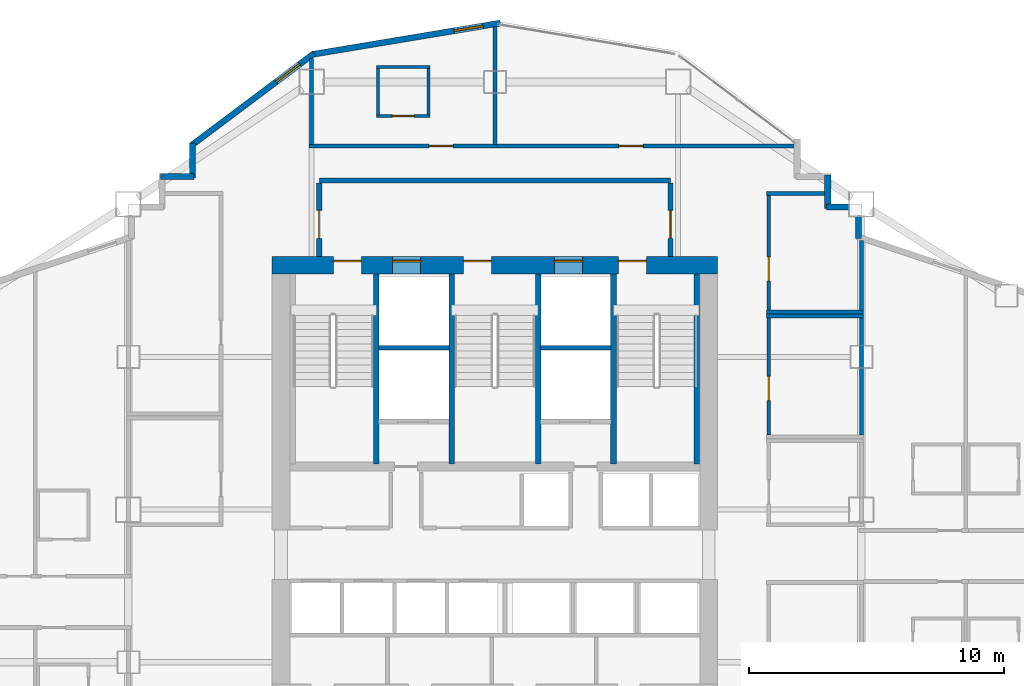
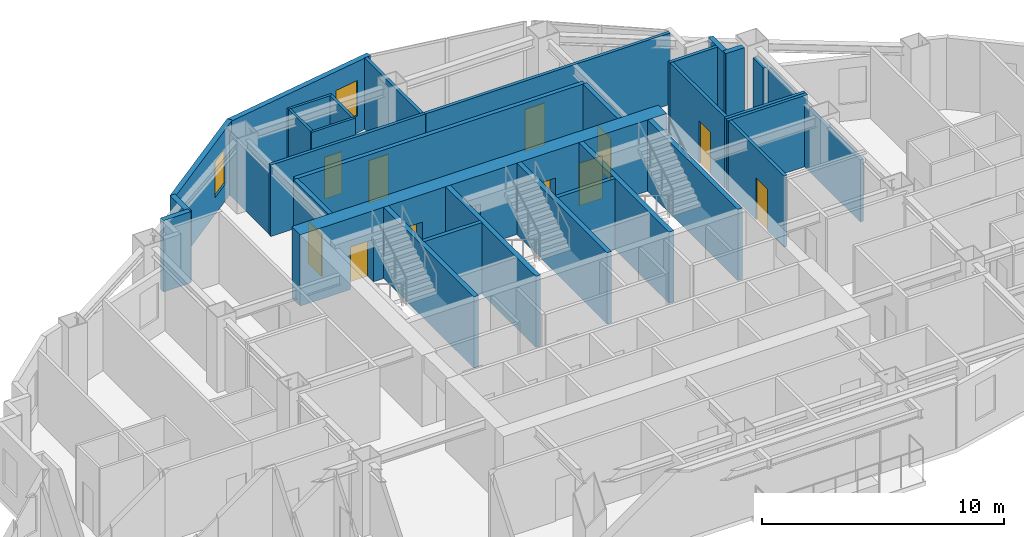
# One storey, part 12 of 15: 33 walls, 12 doors, 2 windows, 14 openings.
"""IFC4 building model written with IfcOpenShell, lengths in metres."""

from ifc_helpers import new_model, si_unit, direction, frame, frame_2d, origin, place, context, subcontext, project, spatial, rectangle, extrude, material, layer, layer_set, type_object, element, fill, save


model = new_model("IFC4")

# Units and contexts
model_context = context("Model", 3, precision=1e-05, world=origin(), true_north=direction((0.0, 1.0)))
body_context = subcontext(model_context, "Body", "Model", "MODEL_VIEW")
ifc_project = project(units=[si_unit("LENGTHUNIT", "METRE"), si_unit("AREAUNIT", "SQUARE_METRE"), si_unit("VOLUMEUNIT", "CUBIC_METRE"), si_unit("PLANEANGLEUNIT", "RADIAN"), si_unit("MASSUNIT", "GRAM", prefix="KILO")], contexts=[model_context])

# Site, building, storey
site_placement = place(None, origin())
site = spatial("IfcSite", under=ifc_project, at=site_placement, CompositionType="ELEMENT")
building_placement = place(site_placement, origin())
building = spatial("IfcBuilding", under=site, at=building_placement, Name="Haolan Belvedere Tower", CompositionType="ELEMENT")
storey_placement = place(building_placement, frame((0.0, 0.0, 152.39990234375)))
storey = spatial("IfcBuildingStorey", under=building, at=storey_placement, Name="L38", CompositionType="ELEMENT", Elevation=152.39990234375)

# Wall, openings, doors
ifc_material_1 = material(Name="Concrete C60/75", Category="concrete")
ifc_layer_1 = layer(ifc_material_1, 0.699951171875, Name="Concrete C60/75")
ifc_layer_set_1 = layer_set([ifc_layer_1], Name="Concrete C60/75")
wall_type_1 = type_object("IfcWallType", Name="WL-CORE-700", PredefinedType="SHEAR", material=ifc_layer_set_1)
wall_1_placement = place(storey_placement, frame((29.64990234375, 43.199951171875, 0.0), z_axis=(0.0, 0.0, 1.0), x_axis=(1.0, 0.0, 0.0)))
wall_1 = element("IfcWall", 1, at=wall_1_placement, inside=storey, type_object=wall_type_1, Name="L38 central core north shear wall", PredefinedType="SHEAR", context=body_context, shape_type="SweptSolid", body=[
    extrude(rectangle(XDim=17.5, YDim=0.699951171875, at=frame_2d((8.75, 0.0))), origin(), (0.0, 0.0, 1.0), 3.60009765625),
])
opening_1_placement = place(wall_1_placement, frame((2.39990234375, 0.0, 0.0)))
opening_1 = element("IfcOpeningElement", 2, at=opening_1_placement, cuts=wall_1, Name="Opening FD-03", PredefinedType="OPENING", context=body_context, shape_type="SweptSolid", body=[
    extrude(rectangle(XDim=1.10009765625, YDim=2.14990234375, at=frame_2d((0.550048828125, 1.074951171875))), frame((0.0, 0.35986328125, 0.0), z_axis=(0.0, -1.0, 0.0), x_axis=(1.0, 0.0, 0.0)), (0.0, 0.0, 1.0), 0.719970703125),
])
opening_2_placement = place(wall_1_placement, frame((7.510009765625, 0.0, 0.0)))
opening_2 = element("IfcOpeningElement", 3, at=opening_2_placement, cuts=wall_1, Name="Opening FD-03", PredefinedType="OPENING", context=body_context, shape_type="SweptSolid", body=[
    extrude(rectangle(XDim=1.10009765625, YDim=2.14990234375, at=frame_2d((0.550048828125, 1.074951171875))), frame((0.0, 0.35986328125, 0.0), z_axis=(0.0, -1.0, 0.0), x_axis=(1.0, 0.0, 0.0)), (0.0, 0.0, 1.0), 0.719970703125),
])
opening_3_placement = place(wall_1_placement, frame((13.60009765625, 0.0, 0.0)))
opening_3 = element("IfcOpeningElement", 4, at=opening_3_placement, cuts=wall_1, Name="Opening FD-03", PredefinedType="OPENING", context=body_context, shape_type="SweptSolid", body=[
    extrude(rectangle(XDim=1.10009765625, YDim=2.14990234375, at=frame_2d((0.550048828125, 1.074951171875))), frame((0.0, 0.35986328125, 0.0), z_axis=(0.0, -1.0, 0.0), x_axis=(1.0, 0.0, 0.0)), (0.0, 0.0, 1.0), 0.719970703125),
])
opening_4_placement = place(wall_1_placement, frame((4.72998046875, 0.0, 0.0)))
opening_4 = element("IfcOpeningElement", 5, at=opening_4_placement, cuts=wall_1, Name="Opening LD-01", PredefinedType="OPENING", context=body_context, shape_type="SweptSolid", body=[
    extrude(rectangle(XDim=1.10009765625, YDim=2.199951171875, at=frame_2d((0.550048828125, 1.10009765625))), frame((0.0, 0.35986328125, 0.0), z_axis=(0.0, -1.0, 0.0), x_axis=(1.0, 0.0, 0.0)), (0.0, 0.0, 1.0), 0.719970703125),
])
opening_5_placement = place(wall_1_placement, frame((11.090087890625, 0.0, 0.0)))
opening_5 = element("IfcOpeningElement", 6, at=opening_5_placement, cuts=wall_1, Name="Opening LD-01", PredefinedType="OPENING", context=body_context, shape_type="SweptSolid", body=[
    extrude(rectangle(XDim=1.10009765625, YDim=2.199951171875, at=frame_2d((0.550048828125, 1.10009765625))), frame((0.0, 0.35986328125, 0.0), z_axis=(0.0, -1.0, 0.0), x_axis=(1.0, 0.0, 0.0)), (0.0, 0.0, 1.0), 0.719970703125),
])
ifc_material_2 = material(Name="Galvanised fire-rated steel", Category="steel")
door_type_1 = type_object("IfcDoorType", Name="DR-FD90-1100", OperationType="NOTDEFINED", PredefinedType="DOOR", material=ifc_material_2)
door_1_placement = place(opening_1_placement, origin())
door_1 = element("IfcDoor", 7, at=door_1_placement, inside=storey, type_object=door_type_1, Name="L38 door CD-L38-ST1", OperationType="SINGLE_SWING_LEFT", OverallHeight=2.14990234375, OverallWidth=1.10009765625, PredefinedType="DOOR", context=body_context, shape_type="SweptSolid", body=[
    extrude(rectangle(XDim=1.10009765625, YDim=2.14990234375, at=frame_2d((0.550048828125, 1.074951171875))), frame((0.0, 0.18505859375, 0.0), z_axis=(0.0, -1.0, 0.0), x_axis=(1.0, 0.0, 0.0)), (0.0, 0.0, 1.0), 0.050048828125),
])
fill(opening_1, door_1)
door_2_placement = place(opening_2_placement, origin())
door_2 = element("IfcDoor", 8, at=door_2_placement, inside=storey, type_object=door_type_1, Name="L38 door CD-L38-ST3", OperationType="SINGLE_SWING_LEFT", OverallHeight=2.14990234375, OverallWidth=1.10009765625, PredefinedType="DOOR", context=body_context, shape_type="SweptSolid", body=[
    extrude(rectangle(XDim=1.10009765625, YDim=2.14990234375, at=frame_2d((0.550048828125, 1.074951171875))), frame((0.0, 0.18505859375, 0.0), z_axis=(0.0, -1.0, 0.0), x_axis=(1.0, 0.0, 0.0)), (0.0, 0.0, 1.0), 0.050048828125),
])
fill(opening_2, door_2)
door_3_placement = place(opening_3_placement, origin())
door_3 = element("IfcDoor", 9, at=door_3_placement, inside=storey, type_object=door_type_1, Name="L38 door CD-L38-ST2", OperationType="SINGLE_SWING_RIGHT", OverallHeight=2.14990234375, OverallWidth=1.10009765625, PredefinedType="DOOR", context=body_context, shape_type="SweptSolid", body=[
    extrude(rectangle(XDim=1.10009765625, YDim=2.14990234375, at=frame_2d((0.550048828125, 1.074951171875))), frame((0.0, 0.18505859375, 0.0), z_axis=(0.0, -1.0, 0.0), x_axis=(1.0, 0.0, 0.0)), (0.0, 0.0, 1.0), 0.050048828125),
])
fill(opening_3, door_3)
ifc_material_3 = material(Name="Brushed champagne stainless steel 316L", Category="steel")
door_type_2 = type_object("IfcDoorType", Name="DR-LIFT-1100", OperationType="SLIDING_TO_LEFT", PredefinedType="DOOR", material=ifc_material_3)
door_4_placement = place(opening_4_placement, origin())
door_4 = element("IfcDoor", 10, at=door_4_placement, inside=storey, type_object=door_type_2, Name="L38 door LD-L38-FF1", OperationType="SLIDING_TO_LEFT", OverallHeight=2.199951171875, OverallWidth=1.10009765625, PredefinedType="DOOR", context=body_context, shape_type="SweptSolid", body=[
    extrude(rectangle(XDim=1.10009765625, YDim=2.199951171875, at=frame_2d((0.550048828125, 1.10009765625))), frame((0.0, 0.18505859375, 0.0), z_axis=(0.0, -1.0, 0.0), x_axis=(1.0, 0.0, 0.0)), (0.0, 0.0, 1.0), 0.050048828125),
])
fill(opening_4, door_4)
door_5_placement = place(opening_5_placement, origin())
door_5 = element("IfcDoor", 11, at=door_5_placement, inside=storey, type_object=door_type_2, Name="L38 door LD-L38-FF2", OperationType="SLIDING_TO_LEFT", OverallHeight=2.199951171875, OverallWidth=1.10009765625, PredefinedType="DOOR", context=body_context, shape_type="SweptSolid", body=[
    extrude(rectangle(XDim=1.10009765625, YDim=2.199951171875, at=frame_2d((0.550048828125, 1.10009765625))), frame((0.0, 0.18505859375, 0.0), z_axis=(0.0, -1.0, 0.0), x_axis=(1.0, 0.0, 0.0)), (0.0, 0.0, 1.0), 0.050048828125),
])
fill(opening_5, door_5)

# Walls
ifc_material_4 = material(Name="Precast concrete C40/50", Category="concrete")
ifc_layer_2 = layer(ifc_material_4, 0.239990234375, Name="Precast concrete C40/50")
ifc_layer_set_2 = layer_set([ifc_layer_2], Name="Precast concrete C40/50")
wall_type_2 = type_object("IfcWallType", Name="WL-EXT-240", PredefinedType="SOLIDWALL", material=ifc_layer_set_2)
wall_2_placement = place(storey_placement, frame((52.679931640625, 44.258544921875, 0.0), z_axis=(0.0, 0.0, 1.0), x_axis=(0.0, 1.0, 0.0)))
element("IfcWall", 12, at=wall_2_placement, inside=storey, type_object=wall_type_2, Name="L38 pale-metal exterior spandrel wall 21.1", PredefinedType="SOLIDWALL", context=body_context, shape_type="SweptSolid", body=[
    extrude(rectangle(XDim=0.849365234375, YDim=0.239990234375, at=frame_2d((0.4248046875, 0.0))), origin(), (0.0, 0.0, 1.0), 3.14501953125),
])
wall_3_placement = place(storey_placement, frame((52.30810546875, 45.47998046875, 0.0), z_axis=(0.0, 0.0, 1.0), x_axis=(-1.0, 0.0, 0.0)))
element("IfcWall", 13, at=wall_3_placement, inside=storey, type_object=wall_type_2, Name="L38 pale-metal exterior spandrel wall 22.1", PredefinedType="SOLIDWALL", context=body_context, shape_type="SweptSolid", body=[
    extrude(rectangle(XDim=0.883056640625, YDim=0.239990234375, at=frame_2d((0.44140625, 0.0))), origin(), (0.0, 0.0, 1.0), 3.60009765625),
])
wall_4_placement = place(storey_placement, frame((51.47998046875, 45.425048828125, 0.0), z_axis=(0.0, 0.0, 1.0), x_axis=(0.0, 1.0, 0.0)))
element("IfcWall", 14, at=wall_4_placement, inside=storey, type_object=wall_type_2, Name="L38 pale-metal exterior spandrel wall 23.1", PredefinedType="SOLIDWALL", context=body_context, shape_type="SweptSolid", body=[
    extrude(rectangle(XDim=1.31005859375, YDim=0.239990234375, at=frame_2d((0.655029296875, 0.0))), origin(), (0.0, 0.0, 1.0), 3.60009765625),
])

# Wall, opening, window
wall_5_placement = place(storey_placement, frame((38.621826171875, 52.71533203125, 0.0), z_axis=(0.0, 0.0, 1.0), x_axis=(-0.98639129485, -0.164414760418, 0.0)))
wall_5 = element("IfcWall", 15, at=wall_5_placement, inside=storey, type_object=wall_type_2, Name="L38 pale-metal exterior spandrel wall 28.1", PredefinedType="SOLIDWALL", context=body_context, shape_type="SweptSolid", body=[
    extrude(rectangle(XDim=7.530029296875, YDim=0.239990234375, at=frame_2d((3.76513671875, 0.0))), origin(), (0.0, 0.0, 1.0), 3.60009765625),
])
opening_6_placement = place(wall_5_placement, frame((0.699951171875, 0.0, 0.85009765625)))
opening_6 = element("IfcOpeningElement", 16, at=opening_6_placement, cuts=wall_5, Name="Opening W-02", PredefinedType="OPENING", context=body_context, shape_type="SweptSolid", body=[
    extrude(rectangle(XDim=1.14990234375, YDim=1.800048828125, at=frame_2d((0.574951171875, 0.89990234375))), frame((0.0, 0.1298828125, 0.0), z_axis=(0.0, -1.0, 0.0), x_axis=(1.0, 0.0, 0.0)), (0.0, 0.0, 1.0), 0.260009765625),
])
ifc_material_5 = material(Name="Anodised aluminium 6063-T6 and Low-E glass", Category="aluminium")
window_type = type_object("IfcWindowType", Name="WN-DECO-Z2", PartitioningType="SINGLE_PANEL", PredefinedType="WINDOW", material=ifc_material_5)
window_1_placement = place(opening_6_placement, origin())
window_1 = element("IfcWindow", 17, at=window_1_placement, inside=storey, type_object=window_type, Name="L38 Art Deco chevron window 1", OverallHeight=1.800048828125, OverallWidth=1.14990234375, PartitioningType="SINGLE_PANEL", PredefinedType="WINDOW", context=body_context, shape_type="SweptSolid", body=[
    extrude(rectangle(XDim=1.14990234375, YDim=1.800048828125, at=frame_2d((0.574951171875, 0.89990234375))), frame((0.0, 0.030029296875, 0.0), z_axis=(0.0, -1.0, 0.0), x_axis=(1.0, 0.0, 0.0)), (0.0, 0.0, 1.0), 0.06005859375),
])
fill(opening_6, window_1)

wall_6_placement = place(storey_placement, frame((31.29248046875, 51.519287109375, 0.0), z_axis=(0.0, 0.0, 1.0), x_axis=(-0.8, -0.6, 0.0)))
wall_6 = element("IfcWall", 18, at=wall_6_placement, inside=storey, type_object=wall_type_2, Name="L38 pale-metal exterior spandrel wall 29.1", PredefinedType="SOLIDWALL", context=body_context, shape_type="SweptSolid", body=[
    extrude(rectangle(XDim=6.0205078125, YDim=0.239990234375, at=frame_2d((3.01025390625, 0.0))), origin(), (0.0, 0.0, 1.0), 3.60009765625),
])
opening_7_placement = place(wall_6_placement, frame((0.699951171875, 0.0, 0.85009765625)))
opening_7 = element("IfcOpeningElement", 19, at=opening_7_placement, cuts=wall_6, Name="Opening W-02", PredefinedType="OPENING", context=body_context, shape_type="SweptSolid", body=[
    extrude(rectangle(XDim=1.14990234375, YDim=1.800048828125, at=frame_2d((0.574951171875, 0.89990234375))), frame((0.0, 0.1298828125, 0.0), z_axis=(0.0, -1.0, 0.0), x_axis=(1.0, 0.0, 0.0)), (0.0, 0.0, 1.0), 0.260009765625),
])
window_2_placement = place(opening_7_placement, origin())
window_2 = element("IfcWindow", 20, at=window_2_placement, inside=storey, type_object=window_type, Name="L38 Art Deco chevron window 1", OverallHeight=1.800048828125, OverallWidth=1.14990234375, PartitioningType="SINGLE_PANEL", PredefinedType="WINDOW", context=body_context, shape_type="SweptSolid", body=[
    extrude(rectangle(XDim=1.14990234375, YDim=1.800048828125, at=frame_2d((0.574951171875, 0.89990234375))), frame((0.0, 0.030029296875, 0.0), z_axis=(0.0, -1.0, 0.0), x_axis=(1.0, 0.0, 0.0)), (0.0, 0.0, 1.0), 0.06005859375),
])
fill(opening_7, window_2)

# Walls
wall_7_placement = place(storey_placement, frame((26.52001953125, 47.9951171875, 0.0), z_axis=(0.0, 0.0, 1.0), x_axis=(0.0, -1.0, 0.0)))
element("IfcWall", 21, at=wall_7_placement, inside=storey, type_object=wall_type_2, Name="L38 pale-metal exterior spandrel wall 30.1", PredefinedType="SOLIDWALL", context=body_context, shape_type="SweptSolid", body=[
    extrude(rectangle(XDim=1.3701171875, YDim=0.239990234375, at=frame_2d((0.68505859375, 0.0))), origin(), (0.0, 0.0, 1.0), 3.60009765625),
])
wall_8_placement = place(storey_placement, frame((26.574951171875, 46.679931640625, 0.0), z_axis=(0.0, 0.0, 1.0), x_axis=(-1.0, 0.0, 0.0)))
element("IfcWall", 22, at=wall_8_placement, inside=storey, type_object=wall_type_2, Name="L38 pale-metal exterior spandrel wall 31.1", PredefinedType="SOLIDWALL", context=body_context, shape_type="SweptSolid", body=[
    extrude(rectangle(XDim=1.31005859375, YDim=0.239990234375, at=frame_2d((0.655029296875, 0.0))), origin(), (0.0, 0.0, 1.0), 3.60009765625),
])
ifc_material_6 = material(Name="Concrete C40/50", Category="concrete")
ifc_layer_3 = layer(ifc_material_6, 0.199951171875, Name="Concrete C40/50")
ifc_layer_set_3 = layer_set([ifc_layer_3], Name="Concrete C40/50")
wall_type_3 = type_object("IfcWallType", Name="WL-FIRE-200", PredefinedType="SOLIDWALL", material=ifc_layer_set_3)
wall_9_placement = place(storey_placement, frame((31.5, 46.52001953125, 0.0), z_axis=(0.0, 0.0, 1.0), x_axis=(1.0, 0.0, 0.0)))
element("IfcWall", 23, at=wall_9_placement, inside=storey, type_object=wall_type_3, Name="L38 interior partition IW-L38-FFL-N", PredefinedType="SOLIDWALL", context=body_context, shape_type="SweptSolid", body=[
    extrude(rectangle(XDim=13.800048828125, YDim=0.199951171875, at=frame_2d((6.89990234375, 0.0))), origin(), (0.0, 0.0, 1.0), 3.60009765625),
])

# Wall, opening, door
wall_10_placement = place(storey_placement, frame((31.5, 43.550048828125, 0.0), z_axis=(0.0, 0.0, 1.0), x_axis=(0.0, 1.0, 0.0)))
wall_10 = element("IfcWall", 24, at=wall_10_placement, inside=storey, type_object=wall_type_3, Name="L38 interior partition IW-L38-FFL-W", PredefinedType="SOLIDWALL", context=body_context, shape_type="SweptSolid", body=[
    extrude(rectangle(XDim=2.885009765625, YDim=0.199951171875, at=frame_2d((1.4423828125, 0.0))), origin(), (0.0, 0.0, 1.0), 3.60009765625),
])
opening_8_placement = place(wall_10_placement, frame((1.800048828125, 0.0, 0.0), z_axis=(0.0, 0.0, 1.0), x_axis=(-1.0, 0.0, 0.0)))
opening_8 = element("IfcOpeningElement", 25, at=opening_8_placement, cuts=wall_10, Name="Opening FD-03", PredefinedType="OPENING", context=body_context, shape_type="SweptSolid", body=[
    extrude(rectangle(XDim=1.10009765625, YDim=2.14990234375, at=frame_2d((0.550048828125, 1.074951171875))), frame((0.0, 0.10986328125, 0.0), z_axis=(0.0, -1.0, 0.0), x_axis=(1.0, 0.0, 0.0)), (0.0, 0.0, 1.0), 0.219970703125),
])
door_6_placement = place(opening_8_placement, origin())
door_6 = element("IfcDoor", 26, at=door_6_placement, inside=storey, type_object=door_type_1, Name="L38 door ID-L38-FFL-DW", OperationType="SINGLE_SWING_LEFT", OverallHeight=2.14990234375, OverallWidth=1.10009765625, PredefinedType="DOOR", context=body_context, shape_type="SweptSolid", body=[
    extrude(rectangle(XDim=1.10009765625, YDim=2.14990234375, at=frame_2d((0.550048828125, 1.074951171875))), frame((0.0, 0.02490234375, 0.0), z_axis=(0.0, -1.0, 0.0), x_axis=(1.0, 0.0, 0.0)), (0.0, 0.0, 1.0), 0.050048828125),
])
fill(opening_8, door_6)

wall_11_placement = place(storey_placement, frame((45.300048828125, 43.550048828125, 0.0), z_axis=(0.0, 0.0, 1.0), x_axis=(0.0, 1.0, 0.0)))
wall_11 = element("IfcWall", 27, at=wall_11_placement, inside=storey, type_object=wall_type_3, Name="L38 interior partition IW-L38-FFL-E", PredefinedType="SOLIDWALL", context=body_context, shape_type="SweptSolid", body=[
    extrude(rectangle(XDim=2.885009765625, YDim=0.199951171875, at=frame_2d((1.4423828125, 0.0))), origin(), (0.0, 0.0, 1.0), 3.60009765625),
])
opening_9_placement = place(wall_11_placement, frame((0.699951171875, 0.0, 0.0)))
opening_9 = element("IfcOpeningElement", 28, at=opening_9_placement, cuts=wall_11, Name="Opening FD-03", PredefinedType="OPENING", context=body_context, shape_type="SweptSolid", body=[
    extrude(rectangle(XDim=1.10009765625, YDim=2.14990234375, at=frame_2d((0.550048828125, 1.074951171875))), frame((0.0, 0.10986328125, 0.0), z_axis=(0.0, -1.0, 0.0), x_axis=(1.0, 0.0, 0.0)), (0.0, 0.0, 1.0), 0.219970703125),
])
door_7_placement = place(opening_9_placement, origin())
door_7 = element("IfcDoor", 29, at=door_7_placement, inside=storey, type_object=door_type_1, Name="L38 door ID-L38-FFL-DE", OperationType="SINGLE_SWING_RIGHT", OverallHeight=2.14990234375, OverallWidth=1.10009765625, PredefinedType="DOOR", context=body_context, shape_type="SweptSolid", body=[
    extrude(rectangle(XDim=1.10009765625, YDim=2.14990234375, at=frame_2d((0.550048828125, 1.074951171875))), frame((0.0, 0.02490234375, 0.0), z_axis=(0.0, -1.0, 0.0), x_axis=(1.0, 0.0, 0.0)), (0.0, 0.0, 1.0), 0.050048828125),
])
fill(opening_9, door_7)

# Wall
ifc_material_7 = material(Name="Double gypsum acoustic stud partition", Category="masonry")
ifc_layer_4 = layer(ifc_material_7, 0.14990234375, Name="Double gypsum acoustic stud partition")
ifc_layer_set_4 = layer_set([ifc_layer_4], Name="Double gypsum acoustic stud partition")
wall_type_4 = type_object("IfcWallType", Name="WL-PART-150", PredefinedType="PARTITIONING", material=ifc_layer_set_4)
wall_12_placement = place(storey_placement, frame((49.080078125, 41.199951171875, 0.0), z_axis=(0.0, 0.0, 1.0), x_axis=(1.0, 0.0, 0.0)))
element("IfcWall", 30, at=wall_12_placement, inside=storey, type_object=wall_type_4, Name="L38 interior partition IW-L38-STY-N", PredefinedType="PARTITIONING", context=body_context, shape_type="SweptSolid", body=[
    extrude(rectangle(XDim=3.7998046875, YDim=0.14990234375, at=frame_2d((1.89990234375, 0.0))), origin(), (0.0, 0.0, 1.0), 3.60009765625),
])

# Wall, opening, door
wall_13_placement = place(storey_placement, frame((49.159912109375, 36.52001953125, 0.0), z_axis=(0.0, 0.0, 1.0), x_axis=(0.0, 1.0, 0.0)))
wall_13 = element("IfcWall", 31, at=wall_13_placement, inside=storey, type_object=wall_type_4, Name="L38 interior partition IW-L38-STY-W", PredefinedType="PARTITIONING", context=body_context, shape_type="SweptSolid", body=[
    extrude(rectangle(XDim=4.619873046875, YDim=0.14990234375, at=frame_2d((2.31005859375, 0.0))), origin(), (0.0, 0.0, 1.0), 3.60009765625),
])
opening_10_placement = place(wall_13_placement, frame((1.360107421875, 0.0, 0.0)))
opening_10 = element("IfcOpeningElement", 32, at=opening_10_placement, cuts=wall_13, Name="Opening ID-03", PredefinedType="OPENING", context=body_context, shape_type="SweptSolid", body=[
    extrude(rectangle(XDim=0.949951171875, YDim=2.1201171875, at=frame_2d((0.47509765625, 1.06005859375))), frame((0.0, 0.0849609375, 0.0), z_axis=(0.0, -1.0, 0.0), x_axis=(1.0, 0.0, 0.0)), (0.0, 0.0, 1.0), 0.169921875),
])
ifc_material_8 = material(Name="Painted solid-core timber", Category="wood")
door_type_3 = type_object("IfcDoorType", Name="DR-INT-950", OperationType="NOTDEFINED", PredefinedType="DOOR", material=ifc_material_8)
door_8_placement = place(opening_10_placement, origin())
door_8 = element("IfcDoor", 33, at=door_8_placement, inside=storey, type_object=door_type_3, Name="L38 door ID-L38-STY", OperationType="SINGLE_SWING_RIGHT", OverallHeight=2.1201171875, OverallWidth=0.949951171875, PredefinedType="DOOR", context=body_context, shape_type="SweptSolid", body=[
    extrude(rectangle(XDim=0.949951171875, YDim=2.1201171875, at=frame_2d((0.47509765625, 1.06005859375))), frame((0.0, 0.02490234375, 0.0), z_axis=(0.0, -1.0, 0.0), x_axis=(1.0, 0.0, 0.0)), (0.0, 0.0, 1.0), 0.050048828125),
])
fill(opening_10, door_8)

# Walls
wall_14_placement = place(storey_placement, frame((52.800048828125, 36.52001953125, 0.0), z_axis=(0.0, 0.0, 1.0), x_axis=(0.0, 1.0, 0.0)))
element("IfcWall", 34, at=wall_14_placement, inside=storey, type_object=wall_type_4, Name="L38 interior partition IW-L38-STY-E", PredefinedType="PARTITIONING", context=body_context, shape_type="SweptSolid", body=[
    extrude(rectangle(XDim=4.619873046875, YDim=0.14990234375, at=frame_2d((2.31005859375, 0.0))), origin(), (0.0, 0.0, 1.0), 3.14501953125),
])
wall_15_placement = place(storey_placement, frame((49.080078125, 46.02001953125, 0.0), z_axis=(0.0, 0.0, 1.0), x_axis=(1.0, 0.0, 0.0)))
element("IfcWall", 35, at=wall_15_placement, inside=storey, type_object=wall_type_4, Name="L38 interior partition IW-L38-PNT-N", PredefinedType="PARTITIONING", context=body_context, shape_type="SweptSolid", body=[
    extrude(rectangle(XDim=2.294921875, YDim=0.14990234375, at=frame_2d((1.1474609375, 0.0))), origin(), (0.0, 0.0, 1.0), 3.60009765625),
])
wall_16_placement = place(storey_placement, frame((49.080078125, 41.360107421875, 0.0), z_axis=(0.0, 0.0, 1.0), x_axis=(1.0, 0.0, 0.0)))
element("IfcWall", 36, at=wall_16_placement, inside=storey, type_object=wall_type_4, Name="L38 interior partition IW-L38-PNT-S", PredefinedType="PARTITIONING", context=body_context, shape_type="SweptSolid", body=[
    extrude(rectangle(XDim=3.7998046875, YDim=0.14990234375, at=frame_2d((1.89990234375, 0.0))), origin(), (0.0, 0.0, 1.0), 3.60009765625),
])

# Wall, opening, door
wall_17_placement = place(storey_placement, frame((49.159912109375, 41.419921875, 0.0), z_axis=(0.0, 0.0, 1.0), x_axis=(0.0, 1.0, 0.0)))
wall_17 = element("IfcWall", 37, at=wall_17_placement, inside=storey, type_object=wall_type_4, Name="L38 interior partition IW-L38-PNT-W", PredefinedType="PARTITIONING", context=body_context, shape_type="SweptSolid", body=[
    extrude(rectangle(XDim=4.5400390625, YDim=0.14990234375, at=frame_2d((2.27001953125, 0.0))), origin(), (0.0, 0.0, 1.0), 3.60009765625),
])
opening_11_placement = place(wall_17_placement, frame((1.159912109375, 0.0, 0.0)))
opening_11 = element("IfcOpeningElement", 38, at=opening_11_placement, cuts=wall_17, Name="Opening ID-03", PredefinedType="OPENING", context=body_context, shape_type="SweptSolid", body=[
    extrude(rectangle(XDim=0.949951171875, YDim=2.1201171875, at=frame_2d((0.47509765625, 1.06005859375))), frame((0.0, 0.0849609375, 0.0), z_axis=(0.0, -1.0, 0.0), x_axis=(1.0, 0.0, 0.0)), (0.0, 0.0, 1.0), 0.169921875),
])
door_9_placement = place(opening_11_placement, origin())
door_9 = element("IfcDoor", 39, at=door_9_placement, inside=storey, type_object=door_type_3, Name="L38 door ID-L38-PNT", OperationType="SINGLE_SWING_LEFT", OverallHeight=2.1201171875, OverallWidth=0.949951171875, PredefinedType="DOOR", context=body_context, shape_type="SweptSolid", body=[
    extrude(rectangle(XDim=0.949951171875, YDim=2.1201171875, at=frame_2d((0.47509765625, 1.06005859375))), frame((0.0, 0.02490234375, 0.0), z_axis=(0.0, -1.0, 0.0), x_axis=(1.0, 0.0, 0.0)), (0.0, 0.0, 1.0), 0.050048828125),
])
fill(opening_11, door_9)

# Wall
wall_18_placement = place(storey_placement, frame((52.800048828125, 41.419921875, 0.0), z_axis=(0.0, 0.0, 1.0), x_axis=(0.0, 1.0, 0.0)))
element("IfcWall", 40, at=wall_18_placement, inside=storey, type_object=wall_type_4, Name="L38 interior partition IW-L38-PNT-E", PredefinedType="PARTITIONING", context=body_context, shape_type="SweptSolid", body=[
    extrude(rectangle(XDim=2.742919921875, YDim=0.14990234375, at=frame_2d((1.37158203125, 0.0))), origin(), (0.0, 0.0, 1.0), 3.14501953125),
])

# Wall, opening, door
wall_19_placement = place(storey_placement, frame((31.10009765625, 47.8798828125, 0.0), z_axis=(0.0, 0.0, 1.0), x_axis=(1.0, 0.0, 0.0)))
wall_19 = element("IfcWall", 41, at=wall_19_placement, inside=storey, type_object=wall_type_4, Name="L38 interior partition IW-L38-KN2-S", PredefinedType="PARTITIONING", context=body_context, shape_type="SweptSolid", body=[
    extrude(rectangle(XDim=7.39990234375, YDim=0.14990234375, at=frame_2d((3.699951171875, 0.0))), origin(), (0.0, 0.0, 1.0), 3.60009765625),
])
opening_12_placement = place(wall_19_placement, frame((4.713623046875, 0.0, 0.0)))
opening_12 = element("IfcOpeningElement", 42, at=opening_12_placement, cuts=wall_19, Name="Opening ID-02", PredefinedType="OPENING", context=body_context, shape_type="SweptSolid", body=[
    extrude(rectangle(XDim=0.949951171875, YDim=2.14990234375, at=frame_2d((0.47509765625, 1.074951171875))), frame((0.0, 0.0849609375, 0.0), z_axis=(0.0, -1.0, 0.0), x_axis=(1.0, 0.0, 0.0)), (0.0, 0.0, 1.0), 0.169921875),
])
ifc_material_9 = material(Name="Acoustic oak veneer fire-rated timber", Category="wood")
door_type_4 = type_object("IfcDoorType", Name="DR-GUEST-950", OperationType="NOTDEFINED", PredefinedType="DOOR", material=ifc_material_9)
door_10_placement = place(opening_12_placement, origin())
door_10 = element("IfcDoor", 43, at=door_10_placement, inside=storey, type_object=door_type_4, Name="L38 door ID-L38-KN2-ENT", OperationType="SINGLE_SWING_RIGHT", OverallHeight=2.14990234375, OverallWidth=0.949951171875, PredefinedType="DOOR", context=body_context, shape_type="SweptSolid", body=[
    extrude(rectangle(XDim=0.949951171875, YDim=2.14990234375, at=frame_2d((0.47509765625, 1.074951171875))), frame((0.0, 0.02490234375, 0.0), z_axis=(0.0, -1.0, 0.0), x_axis=(1.0, 0.0, 0.0)), (0.0, 0.0, 1.0), 0.050048828125),
])
fill(opening_12, door_10)

# Walls
wall_20_placement = place(storey_placement, frame((31.199951171875, 47.93994140625, 0.0), z_axis=(0.0, 0.0, 1.0), x_axis=(0.0, 1.0, 0.0)))
element("IfcWall", 44, at=wall_20_placement, inside=storey, type_object=wall_type_4, Name="L38 interior partition IW-L38-KN2-W", PredefinedType="PARTITIONING", context=body_context, shape_type="SweptSolid", body=[
    extrude(rectangle(XDim=3.378662109375, YDim=0.14990234375, at=frame_2d((1.689453125, 0.0))), origin(), (0.0, 0.0, 1.0), 3.085205078125),
])
wall_21_placement = place(storey_placement, frame((38.39990234375, 47.93994140625, 0.0), z_axis=(0.0, 0.0, 1.0), x_axis=(0.0, 1.0, 0.0)))
element("IfcWall", 45, at=wall_21_placement, inside=storey, type_object=wall_type_4, Name="L38 interior partition IW-L38-KN2-E", PredefinedType="PARTITIONING", context=body_context, shape_type="SweptSolid", body=[
    extrude(rectangle(XDim=4.632080078125, YDim=0.14990234375, at=frame_2d((2.31591796875, 0.0))), origin(), (0.0, 0.0, 1.0), 3.60009765625),
])

# Wall, opening, door
wall_22_placement = place(storey_placement, frame((38.501953125, 47.8798828125, 0.0), z_axis=(0.0, 0.0, 1.0), x_axis=(1.0, 0.0, 0.0)))
wall_22 = element("IfcWall", 46, at=wall_22_placement, inside=storey, type_object=wall_type_4, Name="L38 interior partition IW-L38-KN3-S", PredefinedType="PARTITIONING", context=body_context, shape_type="SweptSolid", body=[
    extrude(rectangle(XDim=11.673095703125, YDim=0.14990234375, at=frame_2d((5.83642578125, 0.0))), origin(), (0.0, 0.0, 1.0), 3.60009765625),
])
opening_13_placement = place(wall_22_placement, frame((4.77294921875, 0.0, 0.0)))
opening_13 = element("IfcOpeningElement", 47, at=opening_13_placement, cuts=wall_22, Name="Opening ID-03", PredefinedType="OPENING", context=body_context, shape_type="SweptSolid", body=[
    extrude(rectangle(XDim=0.949951171875, YDim=2.1201171875, at=frame_2d((0.47509765625, 1.06005859375))), frame((0.0, 0.0849609375, 0.0), z_axis=(0.0, -1.0, 0.0), x_axis=(1.0, 0.0, 0.0)), (0.0, 0.0, 1.0), 0.169921875),
])
door_11_placement = place(opening_13_placement, origin())
door_11 = element("IfcDoor", 48, at=door_11_placement, inside=storey, type_object=door_type_3, Name="L38 door ID-L38-KN3", OperationType="SINGLE_SWING_LEFT", OverallHeight=2.1201171875, OverallWidth=0.949951171875, PredefinedType="DOOR", context=body_context, shape_type="SweptSolid", body=[
    extrude(rectangle(XDim=0.949951171875, YDim=2.1201171875, at=frame_2d((0.47509765625, 1.06005859375))), frame((0.0, 0.02490234375, 0.0), z_axis=(0.0, -1.0, 0.0), x_axis=(1.0, 0.0, 0.0)), (0.0, 0.0, 1.0), 0.050048828125),
])
fill(opening_13, door_11)

# Walls
ifc_layer_5 = layer(ifc_material_4, 0.179931640625, Name="Precast concrete C40/50")
ifc_layer_set_5 = layer_set([ifc_layer_5], Name="Precast concrete C40/50")
wall_type_5 = type_object("IfcWallType", Name="WL-SHAFT-180", PredefinedType="SOLIDWALL", material=ifc_layer_set_5)
for number, where, z_axis, x_axis, name in (
    (49, (33.8349609375, 39.949951171875, 0.0), (0.0, 0.0, 1.0), (1.0, 0.0, 0.0), "L38 interior partition IW-L38-FF1-S"),
    (50, (40.195068359375, 39.949951171875, 0.0), (0.0, 0.0, 1.0), (1.0, 0.0, 0.0), "L38 interior partition IW-L38-FF2-S"),
):
    element("IfcWall", number, at=place(storey_placement, frame(where, z_axis=z_axis, x_axis=x_axis)), inside=storey, type_object=wall_type_5, Name=name, PredefinedType="SOLIDWALL", context=body_context, shape_type="SweptSolid", body=[
        extrude(rectangle(XDim=2.77001953125, YDim=0.179931640625, at=frame_2d((1.385009765625, 0.0))), origin(), (0.0, 0.0, 1.0), 3.60009765625),
    ])
ifc_material_10 = material(Name="Concrete C50/60", Category="concrete")
ifc_layer_6 = layer(ifc_material_10, 0.219970703125, Name="Concrete C50/60")
ifc_layer_set_6 = layer_set([ifc_layer_6], Name="Concrete C50/60")
wall_type_6 = type_object("IfcWallType", Name="WL-STAIR-220", PredefinedType="SHEAR", material=ifc_layer_set_6)
for number, where, z_axis, x_axis, name in (
    (51, (33.739990234375, 35.389892578125, 0.0), (0.0, 0.0, 1.0), (0.0, 1.0, 0.0), "L38 structural stair core wall ST1E"),
    (52, (36.699951171875, 35.389892578125, 0.0), (0.0, 0.0, 1.0), (0.0, 1.0, 0.0), "L38 structural stair core wall ST3W"),
    (53, (40.10009765625, 35.389892578125, 0.0), (0.0, 0.0, 1.0), (0.0, 1.0, 0.0), "L38 structural stair core wall ST3E"),
    (54, (43.06005859375, 35.389892578125, 0.0), (0.0, 0.0, 1.0), (0.0, 1.0, 0.0), "L38 structural stair core wall ST2W"),
    (55, (46.337890625, 35.389892578125, 0.0), (0.0, 0.0, 1.0), (0.0, 1.0, 0.0), "L38 structural stair core wall ST2E"),
):
    element("IfcWall", number, at=place(storey_placement, frame(where, z_axis=z_axis, x_axis=x_axis)), inside=storey, type_object=wall_type_6, Name=name, PredefinedType="SHEAR", context=body_context, shape_type="SweptSolid", body=[
        extrude(rectangle(XDim=7.460205078125, YDim=0.219970703125, at=frame_2d((3.72998046875, 0.0))), origin(), (0.0, 0.0, 1.0), 3.60009765625),
    ])
ifc_material_11 = material(Name="Moisture-resistant gypsum tile partition", Category="masonry")
ifc_layer_7 = layer(ifc_material_11, 0.1201171875, Name="Moisture-resistant gypsum tile partition")
ifc_layer_set_7 = layer_set([ifc_layer_7], Name="Moisture-resistant gypsum tile partition")
wall_type_7 = type_object("IfcWallType", Name="WL-WET-120", PredefinedType="PARTITIONING", material=ifc_layer_set_7)
wall_23_placement = place(storey_placement, frame((33.75, 50.97998046875, 0.0), z_axis=(0.0, 0.0, 1.0), x_axis=(1.0, 0.0, 0.0)))
element("IfcWall", 56, at=wall_23_placement, inside=storey, type_object=wall_type_7, Name="L38 interior partition IW-L38-KN2-BN", PredefinedType="PARTITIONING", context=body_context, shape_type="SweptSolid", body=[
    extrude(rectangle(XDim=2.10009765625, YDim=0.1201171875, at=frame_2d((1.050048828125, 0.0))), origin(), (0.0, 0.0, 1.0), 3.60009765625),
])

# Wall, opening, door
wall_24_placement = place(storey_placement, frame((33.75, 49.06005859375, 0.0), z_axis=(0.0, 0.0, 1.0), x_axis=(1.0, 0.0, 0.0)))
wall_24 = element("IfcWall", 57, at=wall_24_placement, inside=storey, type_object=wall_type_7, Name="L38 interior partition IW-L38-KN2-BS", PredefinedType="PARTITIONING", context=body_context, shape_type="SweptSolid", body=[
    extrude(rectangle(XDim=2.10009765625, YDim=0.1201171875, at=frame_2d((1.050048828125, 0.0))), origin(), (0.0, 0.0, 1.0), 3.60009765625),
])
opening_14_placement = place(wall_24_placement, frame((0.625, 0.0, 0.0)))
opening_14 = element("IfcOpeningElement", 58, at=opening_14_placement, cuts=wall_24, Name="Opening ID-05", PredefinedType="OPENING", context=body_context, shape_type="SweptSolid", body=[
    extrude(rectangle(XDim=0.85009765625, YDim=2.10009765625, at=frame_2d((0.425048828125, 1.050048828125))), frame((0.0, 0.070068359375, 0.0), z_axis=(0.0, -1.0, 0.0), x_axis=(1.0, 0.0, 0.0)), (0.0, 0.0, 1.0), 0.14013671875),
])
ifc_material_12 = material(Name="Moisture-resistant lacquered timber", Category="wood")
door_type_5 = type_object("IfcDoorType", Name="DR-BATH-850", OperationType="NOTDEFINED", PredefinedType="DOOR", material=ifc_material_12)
door_12_placement = place(opening_14_placement, origin())
door_12 = element("IfcDoor", 59, at=door_12_placement, inside=storey, type_object=door_type_5, Name="L38 door ID-L38-KN2-BATH", OperationType="SINGLE_SWING_LEFT", OverallHeight=2.10009765625, OverallWidth=0.85009765625, PredefinedType="DOOR", context=body_context, shape_type="SweptSolid", body=[
    extrude(rectangle(XDim=0.85009765625, YDim=2.10009765625, at=frame_2d((0.425048828125, 1.050048828125))), frame((0.0, 0.02490234375, 0.0), z_axis=(0.0, -1.0, 0.0), x_axis=(1.0, 0.0, 0.0)), (0.0, 0.0, 1.0), 0.050048828125),
])
fill(opening_14, door_12)

# Walls
for number, where, z_axis, x_axis, name in (
    (60, (33.81005859375, 49.10498046875, 0.0), (0.0, 0.0, 1.0), (0.0, 1.0, 0.0), "L38 interior partition IW-L38-KN2-BW"),
    (61, (35.7900390625, 49.10498046875, 0.0), (0.0, 0.0, 1.0), (0.0, 1.0, 0.0), "L38 interior partition IW-L38-KN2-BE"),
):
    element("IfcWall", number, at=place(storey_placement, frame(where, z_axis=z_axis, x_axis=x_axis)), inside=storey, type_object=wall_type_7, Name=name, PredefinedType="PARTITIONING", context=body_context, shape_type="SweptSolid", body=[
        extrude(rectangle(XDim=1.830078125, YDim=0.1201171875, at=frame_2d((0.9150390625, 0.0))), origin(), (0.0, 0.0, 1.0), 3.60009765625),
    ])

save(model, "model.ifc")
